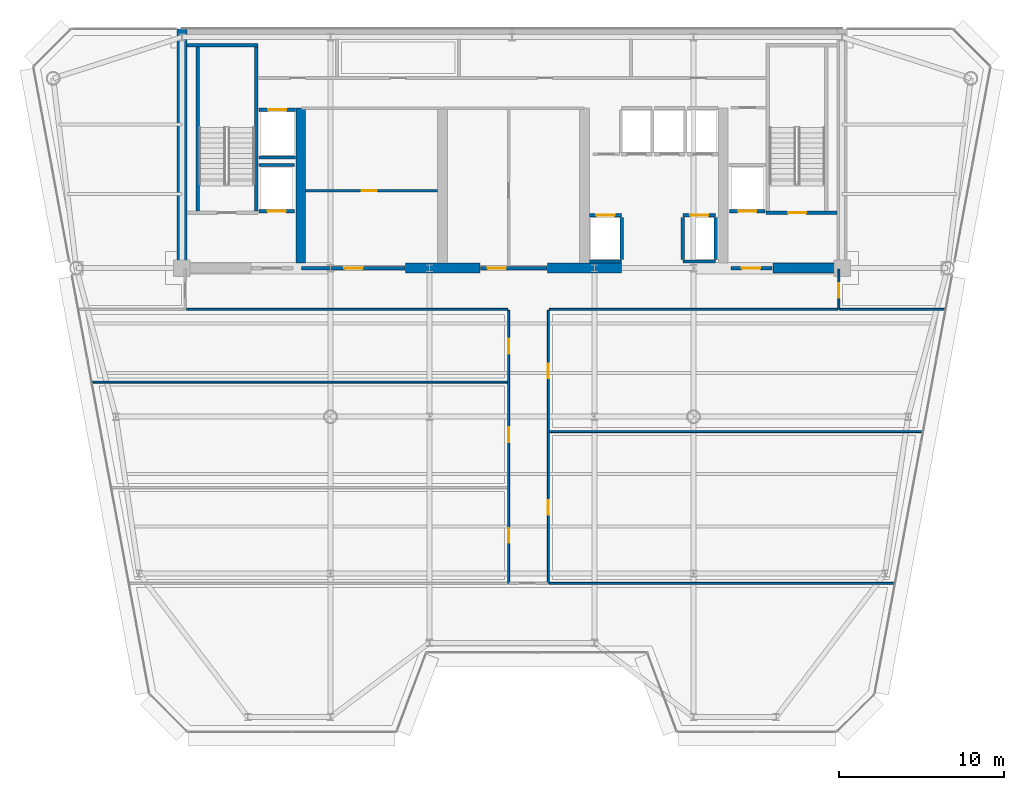
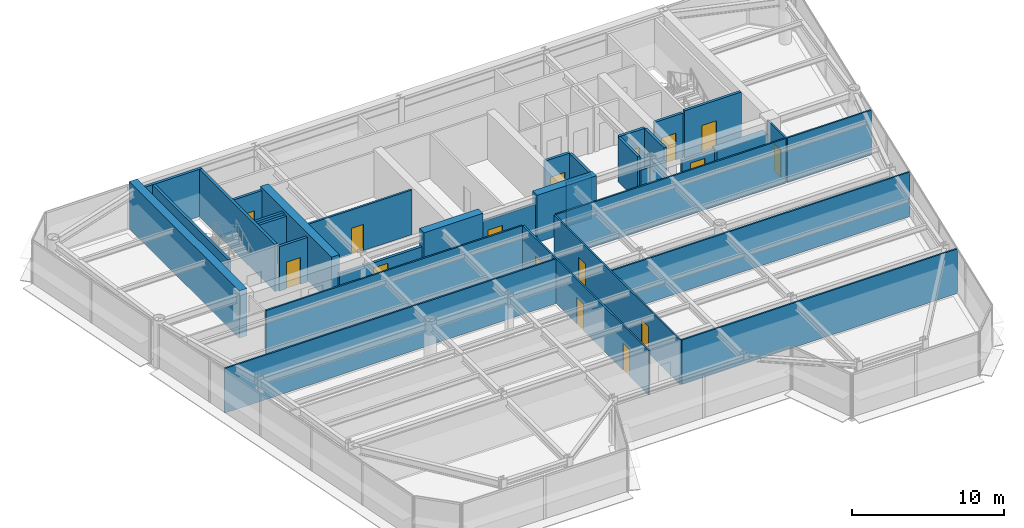
# One storey, part 11 of 16: 34 walls, 16 doors, 16 openings.
"""IFC4 building model written with IfcOpenShell, lengths in metres."""

from ifc_helpers import new_model, si_unit, direction, frame, frame_2d, origin, place, context, subcontext, project, spatial, rectangle, extrude, source, transform, mapped, material, layer, layer_set, type_object, element, fill, save


model = new_model("IFC4")

# Units and contexts
model_context = context("Model", 3, precision=1e-05, world=origin(), true_north=direction((0.0, 1.0)))
body_context = subcontext(model_context, "Body", "Model", "MODEL_VIEW")
ifc_project = project(units=[si_unit("LENGTHUNIT", "METRE"), si_unit("AREAUNIT", "SQUARE_METRE"), si_unit("VOLUMEUNIT", "CUBIC_METRE"), si_unit("PLANEANGLEUNIT", "RADIAN"), si_unit("MASSUNIT", "GRAM", prefix="KILO")], contexts=[model_context])

# Site, building, storey
site_placement = place(None, origin())
site = spatial("IfcSite", under=ifc_project, at=site_placement, CompositionType="ELEMENT")
building_placement = place(site_placement, origin())
building = spatial("IfcBuilding", under=site, at=building_placement, Name="Vaeldorn Concourse Tower", CompositionType="ELEMENT")
storey_placement = place(building_placement, frame((0.0, 0.0, 223.199951171875)))
storey = spatial("IfcBuildingStorey", under=building, at=storey_placement, Name="L57", CompositionType="ELEMENT", Elevation=223.199951171875)

# Walls
ifc_material_1 = material(Name="Concrete C50/60", Category="concrete")
ifc_layer_1 = layer(ifc_material_1, 0.60009765625)
ifc_layer_set_1 = layer_set([ifc_layer_1], Name="Concrete C50/60")
wall_type_1 = type_object("IfcWallType", Name="WL-CORE-600", PredefinedType="SHEAR", material=ifc_layer_set_1)
wall_1_placement = place(storey_placement, frame((14.0, 36.5, 0.0), z_axis=(0.0, 0.0, 1.0), x_axis=(0.0, 1.0, 0.0)))
element("IfcWall", 1, at=wall_1_placement, inside=storey, type_object=wall_type_1, Name="Rear Core Shear Wall L57 W1", PredefinedType="SHEAR", context=body_context, shape_type="SweptSolid", body=[
    extrude(rectangle(XDim=14.5, YDim=0.60009765625, at=frame_2d((7.25, 0.0))), origin(), (0.0, 0.0, 1.0), 3.800048828125),
])
for number, where, z_axis, x_axis, name in (
    (2, (27.550048828125, 36.5, 0.0), (0.0, 0.0, 1.0), (1.0, 0.0, 0.0), "Rear Core Shear Wall L57 S2"),
    (3, (36.14990234375, 36.5, 0.0), (0.0, 0.0, 1.0), (1.0, 0.0, 0.0), "Rear Core Shear Wall L57 S3"),
):
    element("IfcWall", number, at=place(storey_placement, frame(where, z_axis=z_axis, x_axis=x_axis)), inside=storey, type_object=wall_type_1, Name=name, PredefinedType="SHEAR", context=body_context, shape_type="SweptSolid", body=[
        extrude(rectangle(XDim=4.5, YDim=0.60009765625, at=frame_2d((2.25, 0.0))), origin(), (0.0, 0.0, 1.0), 3.800048828125),
    ])
wall_2_placement = place(storey_placement, frame((49.800048828125, 36.5, 0.0), z_axis=(0.0, 0.0, 1.0), x_axis=(1.0, 0.0, 0.0)))
element("IfcWall", 4, at=wall_2_placement, inside=storey, type_object=wall_type_1, Name="Rear Core Shear Wall L57 S4", PredefinedType="SHEAR", context=body_context, shape_type="SweptSolid", body=[
    extrude(rectangle(XDim=3.8798828125, YDim=0.60009765625, at=frame_2d((1.93994140625, 0.0))), origin(), (0.0, 0.0, 1.0), 2.580078125),
])
wall_3_placement = place(storey_placement, frame((21.199951171875, 36.820068359375, 0.0), z_axis=(0.0, 0.0, 1.0), x_axis=(0.0, 1.0, 0.0)))
element("IfcWall", 5, at=wall_3_placement, inside=storey, type_object=wall_type_1, Name="Rear Core Shear Wall L57 M1", PredefinedType="SHEAR", context=body_context, shape_type="SweptSolid", body=[
    extrude(rectangle(XDim=9.3798828125, YDim=0.60009765625, at=frame_2d((4.68994140625, 0.0))), origin(), (0.0, 0.0, 1.0), 3.800048828125),
])
ifc_material_2 = material(Name="Gypsum Board Partition", Category="gypsum")
ifc_layer_2 = layer(ifc_material_2, 0.1201171875)
ifc_layer_set_2 = layer_set([ifc_layer_2], Name="Gypsum Board Partition")
wall_type_2 = type_object("IfcWallType", Name="WL-PART-120", PredefinedType="PARTITIONING", material=ifc_layer_set_2)
wall_4_placement = place(storey_placement, frame((14.260009765625, 34.0, 0.0), z_axis=(0.0, 0.0, 1.0), x_axis=(1.0, 0.0, 0.0)))
element("IfcWall", 6, at=wall_4_placement, inside=storey, type_object=wall_type_2, Name="Interior Wall PW-L57-C3SW", PredefinedType="PARTITIONING", context=body_context, shape_type="SweptSolid", body=[
    extrude(rectangle(XDim=19.47998046875, YDim=0.1201171875, at=frame_2d((9.739990234375, 0.0))), origin(), (0.0, 0.0, 1.0), 3.580078125),
])
wall_5_placement = place(storey_placement, frame((36.260009765625, 34.0, 0.0), z_axis=(0.0, 0.0, 1.0), x_axis=(1.0, 0.0, 0.0)))
element("IfcWall", 7, at=wall_5_placement, inside=storey, type_object=wall_type_2, Name="Interior Wall PW-L57-C3SE", PredefinedType="PARTITIONING", context=body_context, shape_type="SweptSolid", body=[
    extrude(rectangle(XDim=17.47998046875, YDim=0.1201171875, at=frame_2d((8.739990234375, 0.0))), origin(), (0.0, 0.0, 1.0), 3.580078125),
])

# Wall, opening, door
wall_6_placement = place(storey_placement, frame((53.800048828125, 34.0, 0.0), z_axis=(0.0, 0.0, 1.0), x_axis=(0.0, 1.0, 0.0)))
wall_6 = element("IfcWall", 8, at=wall_6_placement, inside=storey, type_object=wall_type_2, Name="Interior Wall PW-L57-C3E", PredefinedType="PARTITIONING", context=body_context, shape_type="SweptSolid", body=[
    extrude(rectangle(XDim=2.43994140625, YDim=0.1201171875, at=frame_2d((1.219970703125, 0.0))), origin(), (0.0, 0.0, 1.0), 3.580078125),
])
opening_1_placement = place(wall_6_placement, frame((0.699951171875, 0.0, 0.0)))
opening_1 = element("IfcOpeningElement", 9, at=opening_1_placement, cuts=wall_6, Name="Opening D-03", PredefinedType="OPENING", context=body_context, shape_type="SweptSolid", body=[
    extrude(rectangle(XDim=0.89990234375, YDim=2.14990234375, at=frame_2d((0.449951171875, 1.074951171875))), frame((0.0, 0.070068359375, 0.0), z_axis=(0.0, -1.0, 0.0), x_axis=(1.0, 0.0, 0.0)), (0.0, 0.0, 1.0), 0.14013671875),
])
ifc_material_3 = material(Name="Acoustic Bronze-Framed Glass Door", Category="glass")
door_type_1 = type_object("IfcDoorType", Name="DR-INT-900", OperationType="NOTDEFINED", PredefinedType="DOOR", material=ifc_material_3)
shared_shape_1 = source(origin(), body_context, "Body", "SweptSolid", [
    extrude(rectangle(XDim=0.89990234375, YDim=2.14990234375, at=frame_2d((0.449951171875, 1.074951171875))), frame((0.0, 0.02490234375, 0.0), z_axis=(0.0, -1.0, 0.0), x_axis=(1.0, 0.0, 0.0)), (0.0, 0.0, 1.0), 0.050048828125),
])
door_1_placement = place(opening_1_placement, origin())
door_1 = element("IfcDoor", 10, at=door_1_placement, inside=storey, type_object=door_type_1, Name="Interior Door DR-L57-Z3NE", OperationType="SINGLE_SWING_RIGHT", OverallHeight=2.14990234375, OverallWidth=0.89990234375, PredefinedType="DOOR", context=body_context, shape_type="MappedRepresentation", body=[
    mapped(shared_shape_1, transform((0.0, 0.0, 0.0), scale=1.0)),
])
fill(opening_1, door_1)

# Wall, openings, doors
wall_7_placement = place(storey_placement, frame((33.800048828125, 17.39990234375, 0.0), z_axis=(0.0, 0.0, 1.0), x_axis=(0.0, 1.0, 0.0)))
wall_7 = element("IfcWall", 11, at=wall_7_placement, inside=storey, type_object=wall_type_2, Name="Interior Wall PW-L57-CSPW", PredefinedType="PARTITIONING", context=body_context, shape_type="SweptSolid", body=[
    extrude(rectangle(XDim=16.5400390625, YDim=0.1201171875, at=frame_2d((8.27001953125, 0.0))), origin(), (0.0, 0.0, 1.0), 3.580078125),
])
opening_2_placement = place(wall_7_placement, frame((2.449951171875, 0.0, 0.0)))
opening_2 = element("IfcOpeningElement", 12, at=opening_2_placement, cuts=wall_7, Name="Opening D-03", PredefinedType="OPENING", context=body_context, shape_type="SweptSolid", body=[
    extrude(rectangle(XDim=0.89990234375, YDim=2.14990234375, at=frame_2d((0.449951171875, 1.074951171875))), frame((0.0, 0.070068359375, 0.0), z_axis=(0.0, -1.0, 0.0), x_axis=(1.0, 0.0, 0.0)), (0.0, 0.0, 1.0), 0.14013671875),
])
opening_3_placement = place(wall_7_placement, frame((8.550048828125, 0.0, 0.0)))
opening_3 = element("IfcOpeningElement", 13, at=opening_3_placement, cuts=wall_7, Name="Opening D-03", PredefinedType="OPENING", context=body_context, shape_type="SweptSolid", body=[
    extrude(rectangle(XDim=0.89990234375, YDim=2.14990234375, at=frame_2d((0.449951171875, 1.074951171875))), frame((0.0, 0.070068359375, 0.0), z_axis=(0.0, -1.0, 0.0), x_axis=(1.0, 0.0, 0.0)), (0.0, 0.0, 1.0), 0.14013671875),
])
opening_4_placement = place(wall_7_placement, frame((13.919921875, 0.0, 0.0)))
opening_4 = element("IfcOpeningElement", 14, at=opening_4_placement, cuts=wall_7, Name="Opening D-03", PredefinedType="OPENING", context=body_context, shape_type="SweptSolid", body=[
    extrude(rectangle(XDim=0.89990234375, YDim=2.14990234375, at=frame_2d((0.449951171875, 1.074951171875))), frame((0.0, 0.070068359375, 0.0), z_axis=(0.0, -1.0, 0.0), x_axis=(1.0, 0.0, 0.0)), (0.0, 0.0, 1.0), 0.14013671875),
])
door_2_placement = place(opening_2_placement, origin())
door_2 = element("IfcDoor", 15, at=door_2_placement, inside=storey, type_object=door_type_1, Name="Interior Door DR-L57-Z3W1", OperationType="SINGLE_SWING_LEFT", OverallHeight=2.14990234375, OverallWidth=0.89990234375, PredefinedType="DOOR", context=body_context, shape_type="MappedRepresentation", body=[
    mapped(shared_shape_1, transform((0.0, 0.0, 0.0), scale=1.0)),
])
fill(opening_2, door_2)
door_3_placement = place(opening_3_placement, origin())
door_3 = element("IfcDoor", 16, at=door_3_placement, inside=storey, type_object=door_type_1, Name="Interior Door DR-L57-Z3W2", OperationType="SINGLE_SWING_RIGHT", OverallHeight=2.14990234375, OverallWidth=0.89990234375, PredefinedType="DOOR", context=body_context, shape_type="MappedRepresentation", body=[
    mapped(shared_shape_1, transform((0.0, 0.0, 0.0), scale=1.0)),
])
fill(opening_3, door_3)
door_4_placement = place(opening_4_placement, origin())
door_4 = element("IfcDoor", 17, at=door_4_placement, inside=storey, type_object=door_type_1, Name="Interior Door DR-L57-Z3W3", OperationType="SINGLE_SWING_LEFT", OverallHeight=2.14990234375, OverallWidth=0.89990234375, PredefinedType="DOOR", context=body_context, shape_type="MappedRepresentation", body=[
    mapped(shared_shape_1, transform((0.0, 0.0, 0.0), scale=1.0)),
])
fill(opening_4, door_4)

wall_8_placement = place(storey_placement, frame((36.199951171875, 17.39990234375, 0.0), z_axis=(0.0, 0.0, 1.0), x_axis=(0.0, 1.0, 0.0)))
wall_8 = element("IfcWall", 18, at=wall_8_placement, inside=storey, type_object=wall_type_2, Name="Interior Wall PW-L57-CSPE", PredefinedType="PARTITIONING", context=body_context, shape_type="SweptSolid", body=[
    extrude(rectangle(XDim=16.5400390625, YDim=0.1201171875, at=frame_2d((8.27001953125, 0.0))), origin(), (0.0, 0.0, 1.0), 3.580078125),
])
opening_5_placement = place(wall_8_placement, frame((4.14990234375, 0.0, 0.0)))
opening_5 = element("IfcOpeningElement", 19, at=opening_5_placement, cuts=wall_8, Name="Opening D-03", PredefinedType="OPENING", context=body_context, shape_type="SweptSolid", body=[
    extrude(rectangle(XDim=0.89990234375, YDim=2.14990234375, at=frame_2d((0.449951171875, 1.074951171875))), frame((0.0, 0.070068359375, 0.0), z_axis=(0.0, -1.0, 0.0), x_axis=(1.0, 0.0, 0.0)), (0.0, 0.0, 1.0), 0.14013671875),
])
opening_6_placement = place(wall_8_placement, frame((12.419921875, 0.0, 0.0)))
opening_6 = element("IfcOpeningElement", 20, at=opening_6_placement, cuts=wall_8, Name="Opening D-03", PredefinedType="OPENING", context=body_context, shape_type="SweptSolid", body=[
    extrude(rectangle(XDim=0.89990234375, YDim=2.14990234375, at=frame_2d((0.449951171875, 1.074951171875))), frame((0.0, 0.070068359375, 0.0), z_axis=(0.0, -1.0, 0.0), x_axis=(1.0, 0.0, 0.0)), (0.0, 0.0, 1.0), 0.14013671875),
])
door_5_placement = place(opening_5_placement, origin())
door_5 = element("IfcDoor", 21, at=door_5_placement, inside=storey, type_object=door_type_1, Name="Interior Door DR-L57-Z3E1", OperationType="SINGLE_SWING_RIGHT", OverallHeight=2.14990234375, OverallWidth=0.89990234375, PredefinedType="DOOR", context=body_context, shape_type="MappedRepresentation", body=[
    mapped(shared_shape_1, transform((0.0, 0.0, 0.0), scale=1.0)),
])
fill(opening_5, door_5)
door_6_placement = place(opening_6_placement, origin())
door_6 = element("IfcDoor", 22, at=door_6_placement, inside=storey, type_object=door_type_1, Name="Interior Door DR-L57-Z3E2", OperationType="SINGLE_SWING_LEFT", OverallHeight=2.14990234375, OverallWidth=0.89990234375, PredefinedType="DOOR", context=body_context, shape_type="MappedRepresentation", body=[
    mapped(shared_shape_1, transform((0.0, 0.0, 0.0), scale=1.0)),
])
fill(opening_6, door_6)

# Walls
wall_9_placement = place(storey_placement, frame((53.860107421875, 34.0, 0.0), z_axis=(0.0, 0.0, 1.0), x_axis=(1.0, 0.0, 0.0)))
element("IfcWall", 23, at=wall_9_placement, inside=storey, type_object=wall_type_2, Name="Interior Wall PW-L57-Z3NEB", PredefinedType="PARTITIONING", context=body_context, shape_type="SweptSolid", body=[
    extrude(rectangle(XDim=6.380859375, YDim=0.1201171875, at=frame_2d((3.1904296875, 0.0))), origin(), (0.0, 0.0, 1.0), 3.580078125),
])
wall_10_placement = place(storey_placement, frame((8.572998046875, 29.60009765625, 0.0), z_axis=(0.0, 0.0, 1.0), x_axis=(1.0, 0.0, 0.0)))
element("IfcWall", 24, at=wall_10_placement, inside=storey, type_object=wall_type_2, Name="Interior Wall PW-L57-Z3WY2", PredefinedType="PARTITIONING", context=body_context, shape_type="SweptSolid", body=[
    extrude(rectangle(XDim=25.1669921875, YDim=0.1201171875, at=frame_2d((12.58349609375, 0.0))), origin(), (0.0, 0.0, 1.0), 3.580078125),
])
wall_11_placement = place(storey_placement, frame((36.260009765625, 26.60009765625, 0.0), z_axis=(0.0, 0.0, 1.0), x_axis=(1.0, 0.0, 0.0)))
element("IfcWall", 25, at=wall_11_placement, inside=storey, type_object=wall_type_2, Name="Interior Wall PW-L57-Z3EY1", PredefinedType="PARTITIONING", context=body_context, shape_type="SweptSolid", body=[
    extrude(rectangle(XDim=22.612060546875, YDim=0.1201171875, at=frame_2d((11.30615234375, 0.0))), origin(), (0.0, 0.0, 1.0), 3.580078125),
])
wall_12_placement = place(storey_placement, frame((36.260009765625, 17.39990234375, 0.0), z_axis=(0.0, 0.0, 1.0), x_axis=(1.0, 0.0, 0.0)))
element("IfcWall", 26, at=wall_12_placement, inside=storey, type_object=wall_type_2, Name="Interior Wall PW-L57-Z3SEL", PredefinedType="PARTITIONING", context=body_context, shape_type="SweptSolid", body=[
    extrude(rectangle(XDim=20.910400390625, YDim=0.1201171875, at=frame_2d((10.455078125, 0.0))), origin(), (0.0, 0.0, 1.0), 3.580078125),
])

# Wall, opening, door
ifc_layer_3 = layer(ifc_material_2, 0.14990234375)
ifc_layer_set_3 = layer_set([ifc_layer_3], Name="Gypsum Board Partition")
wall_type_3 = type_object("IfcWallType", Name="WL-PART-150", PredefinedType="PARTITIONING", material=ifc_layer_set_3)
wall_13_placement = place(storey_placement, frame((21.5, 41.199951171875, 0.0), z_axis=(0.0, 0.0, 1.0), x_axis=(1.0, 0.0, 0.0)))
wall_13 = element("IfcWall", 27, at=wall_13_placement, inside=storey, type_object=wall_type_3, Name="Interior Wall CW-L57-R1M", PredefinedType="PARTITIONING", context=body_context, shape_type="SweptSolid", body=[
    extrude(rectangle(XDim=8.0, YDim=0.14990234375, at=frame_2d((4.0, 0.0))), origin(), (0.0, 0.0, 1.0), 3.580078125),
])
opening_7_placement = place(wall_13_placement, frame((3.39990234375, 0.0, 0.0)))
opening_7 = element("IfcOpeningElement", 28, at=opening_7_placement, cuts=wall_13, Name="Opening D-02", PredefinedType="OPENING", context=body_context, shape_type="SweptSolid", body=[
    extrude(rectangle(XDim=0.89990234375, YDim=2.10009765625, at=frame_2d((0.449951171875, 1.050048828125))), frame((0.0, 0.0849609375, 0.0), z_axis=(0.0, -1.0, 0.0), x_axis=(1.0, 0.0, 0.0)), (0.0, 0.0, 1.0), 0.169921875),
])
ifc_material_4 = material(Name="Fire-Rated Timber Leaf", Category="wood")
door_type_2 = type_object("IfcDoorType", Name="DR-FD30-900", OperationType="NOTDEFINED", PredefinedType="DOOR", material=ifc_material_4)
shared_shape_2 = source(origin(), body_context, "Body", "SweptSolid", [
    extrude(rectangle(XDim=0.89990234375, YDim=2.10009765625, at=frame_2d((0.449951171875, 1.050048828125))), frame((0.0, 0.02490234375, 0.0), z_axis=(0.0, -1.0, 0.0), x_axis=(1.0, 0.0, 0.0)), (0.0, 0.0, 1.0), 0.050048828125),
])
door_7_placement = place(opening_7_placement, origin())
door_7 = element("IfcDoor", 29, at=door_7_placement, inside=storey, type_object=door_type_2, Name="Interior Door DR-L57-R1M", OperationType="SINGLE_SWING_RIGHT", OverallHeight=2.10009765625, OverallWidth=0.89990234375, PredefinedType="DOOR", context=body_context, shape_type="MappedRepresentation", body=[
    mapped(shared_shape_2, transform((0.0, 0.0, 0.0), scale=1.0)),
])
fill(opening_7, door_7)

# Walls
ifc_layer_4 = layer(ifc_material_1, 0.199951171875)
ifc_layer_set_4 = layer_set([ifc_layer_4], Name="Concrete C50/60")
wall_type_4 = type_object("IfcWallType", Name="WL-SHAFT-200", PredefinedType="SOLIDWALL", material=ifc_layer_set_4)
wall_14_placement = place(storey_placement, frame((14.300048828125, 50.0, 0.0), z_axis=(0.0, 0.0, 1.0), x_axis=(1.0, 0.0, 0.0)))
element("IfcWall", 30, at=wall_14_placement, inside=storey, type_object=wall_type_4, Name="Stair Shaft Wall CW-L57-ST-1-N", PredefinedType="SOLIDWALL", context=body_context, shape_type="SweptSolid", body=[
    extrude(rectangle(XDim=4.300048828125, YDim=0.199951171875, at=frame_2d((2.14990234375, 0.0))), origin(), (0.0, 0.0, 1.0), 3.800048828125),
])
for number, where, z_axis, x_axis, name in (
    (31, (14.949951171875, 39.9599609375, 0.0), (0.0, 0.0, 1.0), (0.0, 1.0, 0.0), "Stair Shaft Wall CW-L57-ST-1-W"),
    (32, (18.5, 39.9599609375, 0.0), (0.0, 0.0, 1.0), (0.0, 1.0, 0.0), "Stair Shaft Wall CW-L57-ST-1-E"),
):
    element("IfcWall", number, at=place(storey_placement, frame(where, z_axis=z_axis, x_axis=x_axis)), inside=storey, type_object=wall_type_4, Name=name, PredefinedType="SOLIDWALL", context=body_context, shape_type="SweptSolid", body=[
        extrude(rectangle(XDim=9.929931640625, YDim=0.199951171875, at=frame_2d((4.96484375, 0.0))), origin(), (0.0, 0.0, 1.0), 3.800048828125),
    ])

# Wall, opening, door
wall_15_placement = place(storey_placement, frame((49.39990234375, 39.85009765625, 0.0), z_axis=(0.0, 0.0, 1.0), x_axis=(1.0, 0.0, 0.0)))
wall_15 = element("IfcWall", 33, at=wall_15_placement, inside=storey, type_object=wall_type_4, Name="Stair Shaft Wall CW-L57-ST-2-S", PredefinedType="SOLIDWALL", context=body_context, shape_type="SweptSolid", body=[
    extrude(rectangle(XDim=4.300048828125, YDim=0.199951171875, at=frame_2d((2.14990234375, 0.0))), origin(), (0.0, 0.0, 1.0), 3.800048828125),
])
opening_8_placement = place(wall_15_placement, frame((1.324951171875, 0.0, 0.0)))
opening_8 = element("IfcOpeningElement", 34, at=opening_8_placement, cuts=wall_15, Name="Opening D-01", PredefinedType="OPENING", context=body_context, shape_type="SweptSolid", body=[
    extrude(rectangle(XDim=1.10009765625, YDim=2.14990234375, at=frame_2d((0.550048828125, 1.074951171875))), frame((0.0, 0.10986328125, 0.0), z_axis=(0.0, -1.0, 0.0), x_axis=(1.0, 0.0, 0.0)), (0.0, 0.0, 1.0), 0.219970703125),
])
ifc_material_5 = material(Name="Fire-Rated Timber and Steel Leaf", Category="steel")
door_type_3 = type_object("IfcDoorType", Name="DR-FD60-1100", OperationType="NOTDEFINED", PredefinedType="DOOR", material=ifc_material_5)
shared_shape_3 = source(origin(), body_context, "Body", "SweptSolid", [
    extrude(rectangle(XDim=1.10009765625, YDim=2.14990234375, at=frame_2d((0.550048828125, 1.074951171875))), frame((0.0, 0.02490234375, 0.0), z_axis=(0.0, -1.0, 0.0), x_axis=(1.0, 0.0, 0.0)), (0.0, 0.0, 1.0), 0.050048828125),
])
door_8_placement = place(opening_8_placement, origin())
door_8 = element("IfcDoor", 35, at=door_8_placement, inside=storey, type_object=door_type_3, Name="Interior Door DR-L57-ST-2", OperationType="SINGLE_SWING_RIGHT", OverallHeight=2.14990234375, OverallWidth=1.10009765625, PredefinedType="DOOR", context=body_context, shape_type="MappedRepresentation", body=[
    mapped(shared_shape_3, transform((0.0, 0.0, 0.0), scale=1.0)),
])
fill(opening_8, door_8)

wall_16_placement = place(storey_placement, frame((47.280029296875, 36.5, 0.0), z_axis=(0.0, 0.0, 1.0), x_axis=(1.0, 0.0, 0.0)))
wall_16 = element("IfcWall", 36, at=wall_16_placement, inside=storey, type_object=wall_type_4, Name="Interior Wall CW-L57-FF2S", PredefinedType="SOLIDWALL", context=body_context, shape_type="SweptSolid", body=[
    extrude(rectangle(XDim=2.469970703125, YDim=0.199951171875, at=frame_2d((1.23486328125, 0.0))), origin(), (0.0, 0.0, 1.0), 2.570068359375),
])
opening_9_placement = place(wall_16_placement, frame((0.64990234375, 0.0, 0.0)))
opening_9 = element("IfcOpeningElement", 37, at=opening_9_placement, cuts=wall_16, Name="Opening D-01", PredefinedType="OPENING", context=body_context, shape_type="SweptSolid", body=[
    extrude(rectangle(XDim=1.10009765625, YDim=2.14990234375, at=frame_2d((0.550048828125, 1.074951171875))), frame((0.0, 0.10986328125, 0.0), z_axis=(0.0, -1.0, 0.0), x_axis=(1.0, 0.0, 0.0)), (0.0, 0.0, 1.0), 0.219970703125),
])
door_9_placement = place(opening_9_placement, origin())
door_9 = element("IfcDoor", 38, at=door_9_placement, inside=storey, type_object=door_type_3, Name="Interior Door DR-L57-FF2W", OperationType="SINGLE_SWING_LEFT", OverallHeight=2.14990234375, OverallWidth=1.10009765625, PredefinedType="DOOR", context=body_context, shape_type="MappedRepresentation", body=[
    mapped(shared_shape_3, transform((0.0, 0.0, 0.0), scale=1.0)),
])
fill(opening_9, door_9)

wall_17_placement = place(storey_placement, frame((38.7099609375, 39.699951171875, 0.0), z_axis=(0.0, 0.0, 1.0), x_axis=(1.0, 0.0, 0.0)))
wall_17 = element("IfcWall", 39, at=wall_17_placement, inside=storey, type_object=wall_type_4, Name="Interior Wall CW-L57-LF-LF-13", PredefinedType="SOLIDWALL", context=body_context, shape_type="SweptSolid", body=[
    extrude(rectangle(XDim=1.919921875, YDim=0.199951171875, at=frame_2d((0.9599609375, 0.0))), origin(), (0.0, 0.0, 1.0), 3.580078125),
])
opening_10_placement = place(wall_17_placement, frame((0.409912109375, 0.0, 0.0)))
opening_10 = element("IfcOpeningElement", 40, at=opening_10_placement, cuts=wall_17, Name="Opening LD-1", PredefinedType="OPENING", context=body_context, shape_type="SweptSolid", body=[
    extrude(rectangle(XDim=1.10009765625, YDim=2.14990234375, at=frame_2d((0.550048828125, 1.074951171875))), frame((0.0, 0.10986328125, 0.0), z_axis=(0.0, -1.0, 0.0), x_axis=(1.0, 0.0, 0.0)), (0.0, 0.0, 1.0), 0.219970703125),
])
ifc_material_6 = material(Name="Anodised Bronze Aluminium", Category="aluminium")
door_type_4 = type_object("IfcDoorType", Name="DR-LIFT-SLIDE-1100", OperationType="DOUBLE_DOOR_SLIDING", PredefinedType="DOOR", material=ifc_material_6)
door_10_placement = place(opening_10_placement, origin())
door_10 = element("IfcDoor", 41, at=door_10_placement, inside=storey, type_object=door_type_4, Name="Lift Landing Door LD-L57-LF-13", OperationType="DOUBLE_DOOR_SLIDING", OverallHeight=2.14990234375, OverallWidth=1.10009765625, PredefinedType="DOOR", context=body_context, shape_type="MappedRepresentation", body=[
    mapped(shared_shape_3, transform((0.0, 0.0, 0.0), scale=1.0)),
])
fill(opening_10, door_10)

# Walls
wall_18_placement = place(storey_placement, frame((38.7099609375, 36.89990234375, 0.0), z_axis=(0.0, 0.0, 1.0), x_axis=(1.0, 0.0, 0.0)))
element("IfcWall", 42, at=wall_18_placement, inside=storey, type_object=wall_type_4, Name="Interior Wall CW-L57-LFB-LF-13", PredefinedType="SOLIDWALL", context=body_context, shape_type="SweptSolid", body=[
    extrude(rectangle(XDim=1.919921875, YDim=0.199951171875, at=frame_2d((0.9599609375, 0.0))), origin(), (0.0, 0.0, 1.0), 3.580078125),
])
wall_19_placement = place(storey_placement, frame((40.64990234375, 37.02001953125, 0.0), z_axis=(0.0, 0.0, 1.0), x_axis=(0.0, 1.0, 0.0)))
element("IfcWall", 43, at=wall_19_placement, inside=storey, type_object=wall_type_4, Name="Interior Wall CW-L57-LFE-LF-13", PredefinedType="SOLIDWALL", context=body_context, shape_type="SweptSolid", body=[
    extrude(rectangle(XDim=2.56005859375, YDim=0.199951171875, at=frame_2d((1.280029296875, 0.0))), origin(), (0.0, 0.0, 1.0), 3.580078125),
])

# Wall, opening, door
wall_20_placement = place(storey_placement, frame((44.3701171875, 39.699951171875, 0.0), z_axis=(0.0, 0.0, 1.0), x_axis=(1.0, 0.0, 0.0)))
wall_20 = element("IfcWall", 44, at=wall_20_placement, inside=storey, type_object=wall_type_4, Name="Interior Wall CW-L57-LF-LF-14", PredefinedType="SOLIDWALL", context=body_context, shape_type="SweptSolid", body=[
    extrude(rectangle(XDim=1.9599609375, YDim=0.199951171875, at=frame_2d((0.97998046875, 0.0))), origin(), (0.0, 0.0, 1.0), 3.580078125),
])
opening_11_placement = place(wall_20_placement, frame((0.429931640625, 0.0, 0.0)))
opening_11 = element("IfcOpeningElement", 45, at=opening_11_placement, cuts=wall_20, Name="Opening LD-1", PredefinedType="OPENING", context=body_context, shape_type="SweptSolid", body=[
    extrude(rectangle(XDim=1.10009765625, YDim=2.14990234375, at=frame_2d((0.550048828125, 1.074951171875))), frame((0.0, 0.10986328125, 0.0), z_axis=(0.0, -1.0, 0.0), x_axis=(1.0, 0.0, 0.0)), (0.0, 0.0, 1.0), 0.219970703125),
])
door_11_placement = place(opening_11_placement, origin())
door_11 = element("IfcDoor", 46, at=door_11_placement, inside=storey, type_object=door_type_4, Name="Lift Landing Door LD-L57-LF-14", OperationType="DOUBLE_DOOR_SLIDING", OverallHeight=2.14990234375, OverallWidth=1.10009765625, PredefinedType="DOOR", context=body_context, shape_type="MappedRepresentation", body=[
    mapped(shared_shape_3, transform((0.0, 0.0, 0.0), scale=1.0)),
])
fill(opening_11, door_11)

# Walls
wall_21_placement = place(storey_placement, frame((44.3701171875, 36.89990234375, 0.0), z_axis=(0.0, 0.0, 1.0), x_axis=(1.0, 0.0, 0.0)))
element("IfcWall", 47, at=wall_21_placement, inside=storey, type_object=wall_type_4, Name="Interior Wall CW-L57-LFB-LF-14", PredefinedType="SOLIDWALL", context=body_context, shape_type="SweptSolid", body=[
    extrude(rectangle(XDim=1.9599609375, YDim=0.199951171875, at=frame_2d((0.97998046875, 0.0))), origin(), (0.0, 0.0, 1.0), 2.570068359375),
])
for number, where, z_axis, x_axis, name in (
    (48, (44.35009765625, 37.02001953125, 0.0), (0.0, 0.0, 1.0), (0.0, 1.0, 0.0), "Interior Wall CW-L57-LFW-LF-14"),
    (49, (46.35009765625, 37.02001953125, 0.0), (0.0, 0.0, 1.0), (0.0, 1.0, 0.0), "Interior Wall CW-L57-LFE-LF-14"),
):
    element("IfcWall", number, at=place(storey_placement, frame(where, z_axis=z_axis, x_axis=x_axis)), inside=storey, type_object=wall_type_4, Name=name, PredefinedType="SOLIDWALL", context=body_context, shape_type="SweptSolid", body=[
        extrude(rectangle(XDim=2.56005859375, YDim=0.199951171875, at=frame_2d((1.280029296875, 0.0))), origin(), (0.0, 0.0, 1.0), 3.580078125),
    ])

# Wall, opening, door
wall_22_placement = place(storey_placement, frame((18.669921875, 46.10009765625, 0.0), z_axis=(0.0, 0.0, 1.0), x_axis=(1.0, 0.0, 0.0)))
wall_22 = element("IfcWall", 50, at=wall_22_placement, inside=storey, type_object=wall_type_4, Name="Interior Wall CW-L57-LF-LF-SV1", PredefinedType="SOLIDWALL", context=body_context, shape_type="SweptSolid", body=[
    extrude(rectangle(XDim=2.219970703125, YDim=0.199951171875, at=frame_2d((1.10986328125, 0.0))), origin(), (0.0, 0.0, 1.0), 3.580078125),
])
opening_12_placement = place(wall_22_placement, frame((0.56005859375, 0.0, 0.0)))
opening_12 = element("IfcOpeningElement", 51, at=opening_12_placement, cuts=wall_22, Name="Opening LD-1", PredefinedType="OPENING", context=body_context, shape_type="SweptSolid", body=[
    extrude(rectangle(XDim=1.10009765625, YDim=2.14990234375, at=frame_2d((0.550048828125, 1.074951171875))), frame((0.0, 0.10986328125, 0.0), z_axis=(0.0, -1.0, 0.0), x_axis=(1.0, 0.0, 0.0)), (0.0, 0.0, 1.0), 0.219970703125),
])
door_12_placement = place(opening_12_placement, origin())
door_12 = element("IfcDoor", 52, at=door_12_placement, inside=storey, type_object=door_type_4, Name="Lift Landing Door LD-L57-LF-SV1", OperationType="DOUBLE_DOOR_SLIDING", OverallHeight=2.14990234375, OverallWidth=1.10009765625, PredefinedType="DOOR", context=body_context, shape_type="MappedRepresentation", body=[
    mapped(shared_shape_3, transform((0.0, 0.0, 0.0), scale=1.0)),
])
fill(opening_12, door_12)

# Wall
wall_23_placement = place(storey_placement, frame((18.669921875, 43.199951171875, 0.0), z_axis=(0.0, 0.0, 1.0), x_axis=(1.0, 0.0, 0.0)))
element("IfcWall", 53, at=wall_23_placement, inside=storey, type_object=wall_type_4, Name="Interior Wall CW-L57-LFB-LF-SV1", PredefinedType="SOLIDWALL", context=body_context, shape_type="SweptSolid", body=[
    extrude(rectangle(XDim=2.219970703125, YDim=0.199951171875, at=frame_2d((1.10986328125, 0.0))), origin(), (0.0, 0.0, 1.0), 3.580078125),
])

# Wall, opening, door
wall_24_placement = place(storey_placement, frame((18.669921875, 39.949951171875, 0.0), z_axis=(0.0, 0.0, 1.0), x_axis=(1.0, 0.0, 0.0)))
wall_24 = element("IfcWall", 54, at=wall_24_placement, inside=storey, type_object=wall_type_4, Name="Interior Wall CW-L57-LF-LF-FF1", PredefinedType="SOLIDWALL", context=body_context, shape_type="SweptSolid", body=[
    extrude(rectangle(XDim=2.16015625, YDim=0.199951171875, at=frame_2d((1.080078125, 0.0))), origin(), (0.0, 0.0, 1.0), 3.580078125),
])
opening_13_placement = place(wall_24_placement, frame((0.530029296875, 0.0, 0.0)))
opening_13 = element("IfcOpeningElement", 55, at=opening_13_placement, cuts=wall_24, Name="Opening LD-1", PredefinedType="OPENING", context=body_context, shape_type="SweptSolid", body=[
    extrude(rectangle(XDim=1.10009765625, YDim=2.14990234375, at=frame_2d((0.550048828125, 1.074951171875))), frame((0.0, 0.10986328125, 0.0), z_axis=(0.0, -1.0, 0.0), x_axis=(1.0, 0.0, 0.0)), (0.0, 0.0, 1.0), 0.219970703125),
])
door_13_placement = place(opening_13_placement, origin())
door_13 = element("IfcDoor", 56, at=door_13_placement, inside=storey, type_object=door_type_4, Name="Lift Landing Door LD-L57-LF-FF1", OperationType="DOUBLE_DOOR_SLIDING", OverallHeight=2.14990234375, OverallWidth=1.10009765625, PredefinedType="DOOR", context=body_context, shape_type="MappedRepresentation", body=[
    mapped(shared_shape_3, transform((0.0, 0.0, 0.0), scale=1.0)),
])
fill(opening_13, door_13)

# Wall
wall_25_placement = place(storey_placement, frame((18.669921875, 42.75, 0.0), z_axis=(0.0, 0.0, 1.0), x_axis=(1.0, 0.0, 0.0)))
element("IfcWall", 57, at=wall_25_placement, inside=storey, type_object=wall_type_4, Name="Interior Wall CW-L57-LFB-LF-FF1", PredefinedType="SOLIDWALL", context=body_context, shape_type="SweptSolid", body=[
    extrude(rectangle(XDim=2.16015625, YDim=0.199951171875, at=frame_2d((1.080078125, 0.0))), origin(), (0.0, 0.0, 1.0), 3.580078125),
])

# Wall, opening, door
wall_26_placement = place(storey_placement, frame((47.169921875, 39.949951171875, 0.0), z_axis=(0.0, 0.0, 1.0), x_axis=(1.0, 0.0, 0.0)))
wall_26 = element("IfcWall", 58, at=wall_26_placement, inside=storey, type_object=wall_type_4, Name="Interior Wall CW-L57-LF-LF-FF2", PredefinedType="SOLIDWALL", context=body_context, shape_type="SweptSolid", body=[
    extrude(rectangle(XDim=2.16015625, YDim=0.199951171875, at=frame_2d((1.080078125, 0.0))), origin(), (0.0, 0.0, 1.0), 3.580078125),
])
opening_14_placement = place(wall_26_placement, frame((0.530029296875, 0.0, 0.0)))
opening_14 = element("IfcOpeningElement", 59, at=opening_14_placement, cuts=wall_26, Name="Opening LD-1", PredefinedType="OPENING", context=body_context, shape_type="SweptSolid", body=[
    extrude(rectangle(XDim=1.10009765625, YDim=2.14990234375, at=frame_2d((0.550048828125, 1.074951171875))), frame((0.0, 0.10986328125, 0.0), z_axis=(0.0, -1.0, 0.0), x_axis=(1.0, 0.0, 0.0)), (0.0, 0.0, 1.0), 0.219970703125),
])
door_14_placement = place(opening_14_placement, origin())
door_14 = element("IfcDoor", 60, at=door_14_placement, inside=storey, type_object=door_type_4, Name="Lift Landing Door LD-L57-LF-FF2", OperationType="DOUBLE_DOOR_SLIDING", OverallHeight=2.14990234375, OverallWidth=1.10009765625, PredefinedType="DOOR", context=body_context, shape_type="MappedRepresentation", body=[
    mapped(shared_shape_3, transform((0.0, 0.0, 0.0), scale=1.0)),
])
fill(opening_14, door_14)

wall_27_placement = place(storey_placement, frame((21.25, 36.5, 0.0), z_axis=(0.0, 0.0, 1.0), x_axis=(1.0, 0.0, 0.0)))
wall_27 = element("IfcWall", 61, at=wall_27_placement, inside=storey, type_object=wall_type_4, Name="Interior Wall CW-L57-R1S", PredefinedType="SOLIDWALL", context=body_context, shape_type="SweptSolid", body=[
    extrude(rectangle(XDim=6.27001953125, YDim=0.199951171875, at=frame_2d((3.135009765625, 0.0))), origin(), (0.0, 0.0, 1.0), 2.570068359375),
])
opening_15_placement = place(wall_27_placement, frame((2.60009765625, 0.0, 0.0)))
opening_15 = element("IfcOpeningElement", 62, at=opening_15_placement, cuts=wall_27, Name="Opening D-01", PredefinedType="OPENING", context=body_context, shape_type="SweptSolid", body=[
    extrude(rectangle(XDim=1.10009765625, YDim=2.14990234375, at=frame_2d((0.550048828125, 1.074951171875))), frame((0.0, 0.10986328125, 0.0), z_axis=(0.0, -1.0, 0.0), x_axis=(1.0, 0.0, 0.0)), (0.0, 0.0, 1.0), 0.219970703125),
])
door_15_placement = place(opening_15_placement, origin())
door_15 = element("IfcDoor", 63, at=door_15_placement, inside=storey, type_object=door_type_3, Name="Interior Door DR-L57-R1S", OperationType="SINGLE_SWING_LEFT", OverallHeight=2.14990234375, OverallWidth=1.10009765625, PredefinedType="DOOR", context=body_context, shape_type="MappedRepresentation", body=[
    mapped(shared_shape_3, transform((0.0, 0.0, 0.0), scale=1.0)),
])
fill(opening_15, door_15)

wall_28_placement = place(storey_placement, frame((32.080078125, 36.5, 0.0), z_axis=(0.0, 0.0, 1.0), x_axis=(1.0, 0.0, 0.0)))
wall_28 = element("IfcWall", 64, at=wall_28_placement, inside=storey, type_object=wall_type_4, Name="Interior Wall CW-L57-R2S", PredefinedType="SOLIDWALL", context=body_context, shape_type="SweptSolid", body=[
    extrude(rectangle(XDim=4.0400390625, YDim=0.199951171875, at=frame_2d((2.02001953125, 0.0))), origin(), (0.0, 0.0, 1.0), 2.969970703125),
])
opening_16_placement = place(wall_28_placement, frame((0.449951171875, 0.0, 0.0)))
opening_16 = element("IfcOpeningElement", 65, at=opening_16_placement, cuts=wall_28, Name="Opening D-01", PredefinedType="OPENING", context=body_context, shape_type="SweptSolid", body=[
    extrude(rectangle(XDim=1.10009765625, YDim=2.14990234375, at=frame_2d((0.550048828125, 1.074951171875))), frame((0.0, 0.10986328125, 0.0), z_axis=(0.0, -1.0, 0.0), x_axis=(1.0, 0.0, 0.0)), (0.0, 0.0, 1.0), 0.219970703125),
])
door_16_placement = place(opening_16_placement, origin())
door_16 = element("IfcDoor", 66, at=door_16_placement, inside=storey, type_object=door_type_3, Name="Interior Door DR-L57-R2W", OperationType="SINGLE_SWING_LEFT", OverallHeight=2.14990234375, OverallWidth=1.10009765625, PredefinedType="DOOR", context=body_context, shape_type="MappedRepresentation", body=[
    mapped(shared_shape_3, transform((0.0, 0.0, 0.0), scale=1.0)),
])
fill(opening_16, door_16)

save(model, "model.ifc")
